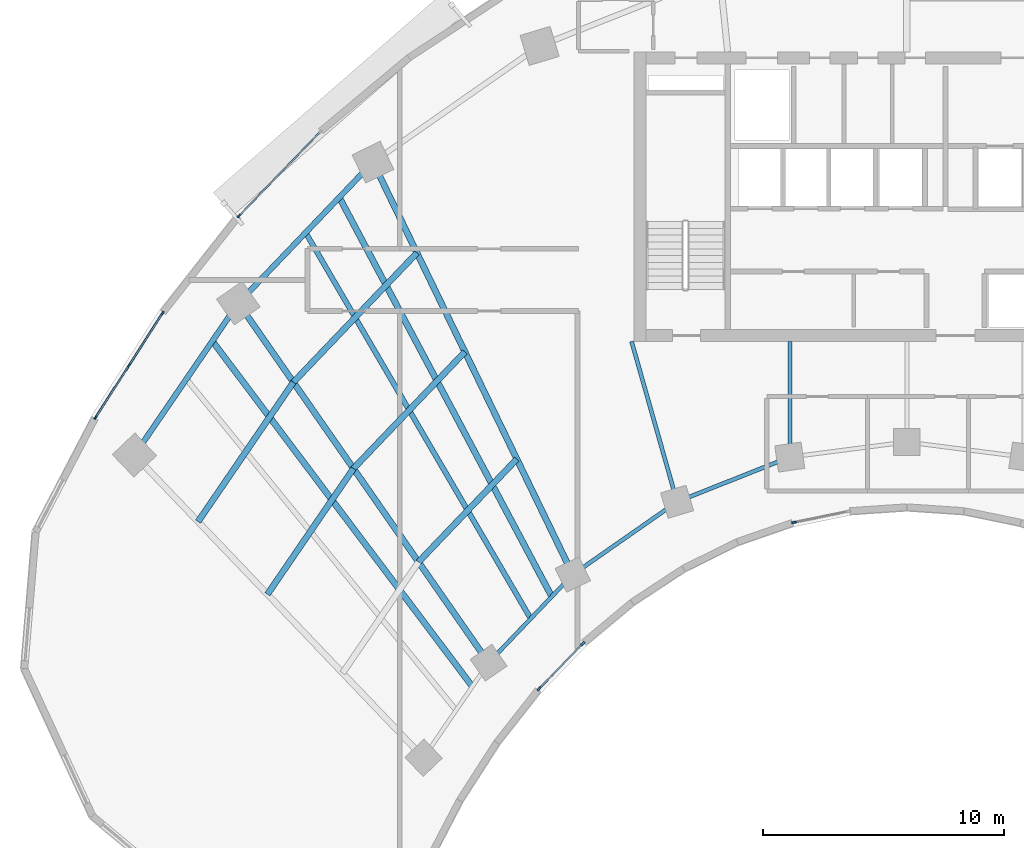
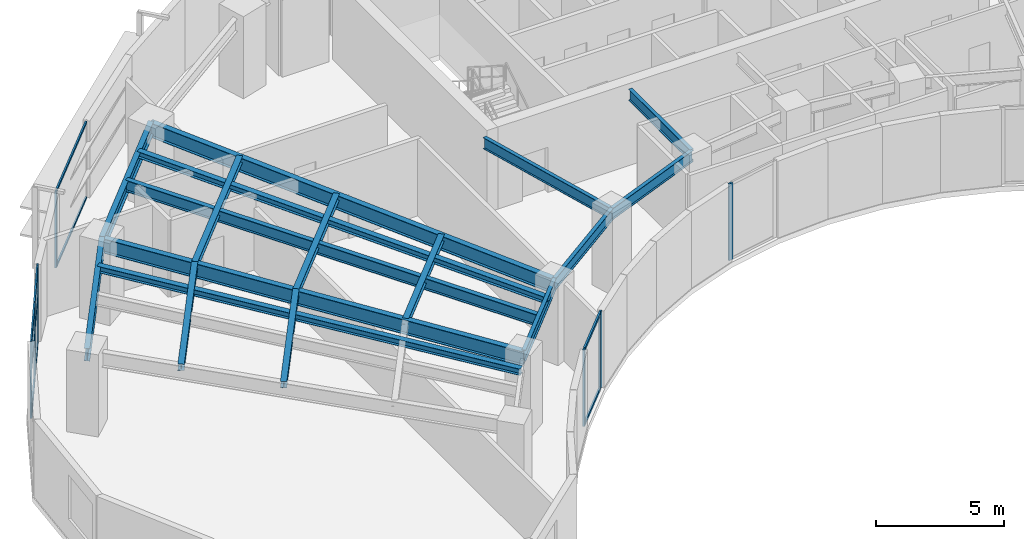
# One storey, part 2 of 14: 17 beams, 17 members, 4 elements without a shape of their own.
"""IFC4 building model written with IfcOpenShell, lengths in metres."""

from ifc_helpers import new_model, si_unit, direction, frame, origin, origin_2d, place, context, subcontext, project, spatial, rectangle, i_section, extrude, source, transform, mapped, material, layer, layer_set, material_profile, profile_set, type_object, type_shapes, element, aggregate, save


model = new_model("IFC4")

# Units and contexts
model_context = context("Model", 3, precision=1e-05, world=origin(), true_north=direction((0.0, 1.0)))
body_context = subcontext(model_context, "Body", "Model", "MODEL_VIEW")
ifc_project = project(units=[si_unit("LENGTHUNIT", "METRE"), si_unit("AREAUNIT", "SQUARE_METRE"), si_unit("VOLUMEUNIT", "CUBIC_METRE"), si_unit("PLANEANGLEUNIT", "RADIAN"), si_unit("MASSUNIT", "GRAM", prefix="KILO")], contexts=[model_context])

# Site, building, storey
site_placement = place(None, origin())
site = spatial("IfcSite", under=ifc_project, at=site_placement, CompositionType="ELEMENT")
building_placement = place(site_placement, origin())
building = spatial("IfcBuilding", under=site, at=building_placement, Name="Breltana Convention Tower", CompositionType="ELEMENT")
storey_placement = place(building_placement, frame((0.0, 0.0, 115.5)))
storey = spatial("IfcBuildingStorey", under=building, at=storey_placement, Name="L27", CompositionType="ELEMENT", Elevation=115.5)

# Beams
ifc_material_1 = material(Name="Steel ASTM A992 Grade 50", Category="steel")
ifc_material_profile_1 = material_profile(ifc_material_1, i_section(OverallWidth=0.25390625, OverallDepth=0.68798828125, WebThickness=0.01318359375, FlangeThickness=0.02099609375, at=origin_2d()), Name="W27X102")
ifc_profile_set_1 = profile_set([ifc_material_profile_1], Name="Steel ASTM A992 Grade 50")
beam_type_1 = type_object("IfcBeamType", Name="BM-RG-W27X102", PredefinedType="USERDEFINED", material=ifc_profile_set_1)
shared_shape_1 = source(origin(), body_context, "Body", "SweptSolid", [
    extrude(i_section(OverallWidth=0.25390625, OverallDepth=0.68798828125, WebThickness=0.01318359375, FlangeThickness=0.02099609375, at=origin_2d()), origin(), (0.0, 0.0, 1.0), 18.1484375),
])
beam_1_placement = place(storey_placement, frame((30.67724609375, 46.892333984375, 3.305908203125), z_axis=(-0.571207556098, 0.820805657788, 0.0), x_axis=(-0.820805657788, -0.571207556098, 0.0)))
element("IfcBeam", 1, at=beam_1_placement, inside=storey, type_object=beam_type_1, Name="L27 Radial Floor Girder R02", ObjectType="GIRDER", PredefinedType="USERDEFINED", context=body_context, shape_type="MappedRepresentation", body=[
    mapped(shared_shape_1, transform((0.0, 0.0, 0.0), scale=1.0)),
])
shared_shape_2 = source(origin(), body_context, "Body", "SweptSolid", [
    extrude(i_section(OverallWidth=0.25390625, OverallDepth=0.68798828125, WebThickness=0.01318359375, FlangeThickness=0.02099609375, at=origin_2d()), origin(), (0.0, 0.0, 1.0), 18.982421875),
])
beam_2_placement = place(storey_placement, frame((34.166259765625, 50.544921875, 3.305908203125), z_axis=(-0.436118560343, 0.89988921614, 0.0), x_axis=(-0.89988921614, -0.436118560343, 0.0)))
element("IfcBeam", 2, at=beam_2_placement, inside=storey, type_object=beam_type_1, Name="L27 Radial Floor Girder R03", ObjectType="GIRDER", PredefinedType="USERDEFINED", context=body_context, shape_type="MappedRepresentation", body=[
    mapped(shared_shape_2, transform((0.0, 0.0, 0.0), scale=1.0)),
])
ifc_material_profile_2 = material_profile(ifc_material_1, i_section(OverallWidth=0.166015625, OverallDepth=0.534912109375, WebThickness=0.01025390625, FlangeThickness=0.0166015625, at=origin_2d()), Name="W21X57")
ifc_profile_set_2 = profile_set([ifc_material_profile_2], Name="Steel ASTM A992 Grade 50")
beam_type_2 = type_object("IfcBeamType", Name="BM-BM-W21X57", PredefinedType="BEAM", material=ifc_profile_set_2)
shared_shape_3 = source(origin(), body_context, "Body", "SweptSolid", [
    extrude(i_section(OverallWidth=0.166015625, OverallDepth=0.534912109375, WebThickness=0.01025390625, FlangeThickness=0.0166015625, at=origin_2d()), origin(), (0.0, 0.0, 1.0), 6.904541015625),
])
type_shapes(beam_type_2, [shared_shape_3])
beam_3_placement = place(storey_placement, frame((36.60009765625, 60.199951171875, 3.382568359375), z_axis=(0.273006781054, -0.962012108811, 0.0), x_axis=(0.962012108811, 0.273006781054, 0.0)))
element("IfcBeam", 3, at=beam_3_placement, inside=storey, type_object=beam_type_2, Name="L27 South Core Tie Girder R04", PredefinedType="BEAM", context=body_context, shape_type="MappedRepresentation", body=[
    mapped(shared_shape_3, transform((0.0, 0.0, 0.0), scale=1.0)),
])
shared_shape_4 = source(origin(), body_context, "Body", "SweptSolid", [
    extrude(i_section(OverallWidth=0.166015625, OverallDepth=0.534912109375, WebThickness=0.01025390625, FlangeThickness=0.0166015625, at=origin_2d()), origin(), (0.0, 0.0, 1.0), 4.789306640625),
])
beam_4_placement = place(storey_placement, frame((43.153564453125, 60.199951171875, 3.382568359375), z_axis=(0.0, -1.0, 0.0), x_axis=(1.0, 0.0, 0.0)))
element("IfcBeam", 4, at=beam_4_placement, inside=storey, type_object=beam_type_2, Name="L27 South Core Tie Girder R05", PredefinedType="BEAM", context=body_context, shape_type="MappedRepresentation", body=[
    mapped(shared_shape_4, transform((0.0, 0.0, 0.0), scale=1.0)),
])
ifc_material_profile_3 = material_profile(ifc_material_1, i_section(OverallWidth=0.22802734375, OverallDepth=0.60791015625, WebThickness=0.01123046875, FlangeThickness=0.017333984375, at=origin_2d()), Name="W24X76")
ifc_profile_set_3 = profile_set([ifc_material_profile_3], Name="Steel ASTM A992 Grade 50")
beam_type_3 = type_object("IfcBeamType", Name="BM-SP-W24X76", PredefinedType="SPANDREL", material=ifc_profile_set_3)
shared_shape_5 = source(origin(), body_context, "Body", "SweptSolid", [
    extrude(i_section(OverallWidth=0.22802734375, OverallDepth=0.60791015625, WebThickness=0.01123046875, FlangeThickness=0.017333984375, at=origin_2d()), origin(), (0.0, 0.0, 1.0), 7.625),
])
type_shapes(beam_type_3, [shared_shape_5])
beam_5_placement = place(storey_placement, frame((16.0068359375, 55.494384765625, 3.345947265625), z_axis=(0.564452031902, 0.825465870694, 0.0), x_axis=(-0.825465870694, 0.564452031902, 0.0)))
element("IfcBeam", 5, at=beam_5_placement, inside=storey, type_object=beam_type_3, Name="L27 Outer Spandrel Beam 01", PredefinedType="SPANDREL", context=body_context, shape_type="MappedRepresentation", body=[
    mapped(shared_shape_5, transform((0.0, 0.0, 0.0), scale=1.0)),
])
shared_shape_6 = source(origin(), body_context, "Body", "SweptSolid", [
    extrude(i_section(OverallWidth=0.166015625, OverallDepth=0.534912109375, WebThickness=0.01025390625, FlangeThickness=0.0166015625, at=origin_2d()), origin(), (0.0, 0.0, 1.0), 5.05126953125),
])
beam_6_placement = place(storey_placement, frame((30.67724609375, 46.892333984375, 3.382568359375), z_axis=(0.690729753845, 0.7231129975, 0.0), x_axis=(-0.7231129975, 0.690729753845, 0.0)))
element("IfcBeam", 6, at=beam_6_placement, inside=storey, type_object=beam_type_2, Name="L27 Inner Ring Beam 02", PredefinedType="BEAM", context=body_context, shape_type="MappedRepresentation", body=[
    mapped(shared_shape_6, transform((0.0, 0.0, 0.0), scale=1.0)),
])
shared_shape_7 = source(origin(), body_context, "Body", "SweptSolid", [
    extrude(i_section(OverallWidth=0.22802734375, OverallDepth=0.60791015625, WebThickness=0.01123046875, FlangeThickness=0.017333984375, at=origin_2d()), origin(), (0.0, 0.0, 1.0), 8.073974609375),
])
beam_7_placement = place(storey_placement, frame((20.310791015625, 61.78857421875, 3.345947265625), z_axis=(0.69072885448, 0.723113856588, 0.0), x_axis=(-0.723113856588, 0.69072885448, 0.0)))
element("IfcBeam", 7, at=beam_7_placement, inside=storey, type_object=beam_type_3, Name="L27 Outer Spandrel Beam 02", PredefinedType="SPANDREL", context=body_context, shape_type="MappedRepresentation", body=[
    mapped(shared_shape_7, transform((0.0, 0.0, 0.0), scale=1.0)),
])
shared_shape_8 = source(origin(), body_context, "Body", "SweptSolid", [
    extrude(i_section(OverallWidth=0.166015625, OverallDepth=0.534912109375, WebThickness=0.01025390625, FlangeThickness=0.0166015625, at=origin_2d()), origin(), (0.0, 0.0, 1.0), 5.265869140625),
])
beam_8_placement = place(storey_placement, frame((34.166259765625, 50.544921875, 3.382568359375), z_axis=(0.820167429517, 0.572123577176, 0.0), x_axis=(-0.572123577176, 0.820167429517, 0.0)))
element("IfcBeam", 8, at=beam_8_placement, inside=storey, type_object=beam_type_2, Name="L27 Inner Ring Beam 03", PredefinedType="BEAM", context=body_context, shape_type="MappedRepresentation", body=[
    mapped(shared_shape_8, transform((0.0, 0.0, 0.0), scale=1.0)),
])
shared_shape_9 = source(origin(), body_context, "Body", "SweptSolid", [
    extrude(i_section(OverallWidth=0.166015625, OverallDepth=0.534912109375, WebThickness=0.01025390625, FlangeThickness=0.0166015625, at=origin_2d()), origin(), (0.0, 0.0, 1.0), 5.022705078125),
])
beam_9_placement = place(storey_placement, frame((38.485107421875, 53.5576171875, 3.382568359375), z_axis=(0.929458966248, 0.368925507469, 0.0), x_axis=(-0.368925507469, 0.929458966248, 0.0)))
element("IfcBeam", 9, at=beam_9_placement, inside=storey, type_object=beam_type_2, Name="L27 Inner Ring Beam 04", PredefinedType="BEAM", context=body_context, shape_type="MappedRepresentation", body=[
    mapped(shared_shape_9, transform((0.0, 0.0, 0.0), scale=1.0)),
])
ifc_material_profile_4 = material_profile(ifc_material_1, i_section(OverallWidth=0.25390625, OverallDepth=0.305908203125, WebThickness=0.0087890625, FlangeThickness=0.0146484375, at=origin_2d()), Name="W12X53")
ifc_profile_set_4 = profile_set([ifc_material_profile_4], Name="Steel ASTM A992 Grade 50")
beam_type_4 = type_object("IfcBeamType", Name="BM-JSG-10", PredefinedType="JOIST", material=ifc_profile_set_4)
shared_shape_10 = source(origin(), body_context, "Body", "SweptSolid", [
    extrude(i_section(OverallWidth=0.25390625, OverallDepth=0.305908203125, WebThickness=0.0087890625, FlangeThickness=0.0146484375, at=origin_2d()), origin(), (0.0, 0.0, 1.0), 6.311767578125),
])
beam_10_placement = place(storey_placement, frame((21.5166015625, 49.72607421875, 3.4970703125), z_axis=(0.564453712577, 0.825464721449, 0.0), x_axis=(-0.825464721449, 0.564453712577, 0.0)))
element("IfcBeam", 10, at=beam_10_placement, inside=storey, type_object=beam_type_4, Name="L27 Composite Floor Joist 01.2", PredefinedType="JOIST", context=body_context, shape_type="MappedRepresentation", body=[
    mapped(shared_shape_10, transform((0.0, 0.0, 0.0), scale=1.0)),
])
shared_shape_11 = source(origin(), body_context, "Body", "SweptSolid", [
    extrude(i_section(OverallWidth=0.25390625, OverallDepth=0.305908203125, WebThickness=0.0087890625, FlangeThickness=0.0146484375, at=origin_2d()), origin(), (0.0, 0.0, 1.0), 6.997314453125),
])
beam_11_placement = place(storey_placement, frame((18.641845703125, 52.735595703125, 3.4970703125), z_axis=(0.564468756361, 0.825454434292, 0.0), x_axis=(-0.825454434292, 0.564468756361, 0.0)))
element("IfcBeam", 11, at=beam_11_placement, inside=storey, type_object=beam_type_4, Name="L27 Composite Floor Joist 01.3", PredefinedType="JOIST", context=body_context, shape_type="MappedRepresentation", body=[
    mapped(shared_shape_11, transform((0.0, 0.0, 0.0), scale=1.0)),
])
shared_shape_12 = source(origin(), body_context, "Body", "SweptSolid", [
    extrude(i_section(OverallWidth=0.25390625, OverallDepth=0.305908203125, WebThickness=0.0087890625, FlangeThickness=0.0146484375, at=origin_2d()), origin(), (0.0, 0.0, 1.0), 17.9072265625),
])
beam_12_placement = place(storey_placement, frame((30.00390625, 45.907958984375, 3.4970703125), z_axis=(-0.601382105028, 0.798961553363, 0.0), x_axis=(-0.798961553363, -0.601382105028, 0.0)))
element("IfcBeam", 12, at=beam_12_placement, inside=storey, type_object=beam_type_4, Name="L27 Quarter-Bay Radial Trimmer 01", PredefinedType="JOIST", context=body_context, shape_type="MappedRepresentation", body=[
    mapped(shared_shape_12, transform((0.0, 0.0, 0.0), scale=1.0)),
])
shared_shape_13 = source(origin(), body_context, "Body", "SweptSolid", [
    extrude(i_section(OverallWidth=0.25390625, OverallDepth=0.305908203125, WebThickness=0.0087890625, FlangeThickness=0.0146484375, at=origin_2d()), origin(), (0.0, 0.0, 1.0), 5.8974609375),
])
beam_13_placement = place(storey_placement, frame((27.774658203125, 51.063232421875, 3.4970703125), z_axis=(0.690713978666, 0.723128065888, 0.0), x_axis=(-0.723128065888, 0.690713978666, 0.0)))
element("IfcBeam", 13, at=beam_13_placement, inside=storey, type_object=beam_type_4, Name="L27 Composite Floor Joist 02.1", PredefinedType="JOIST", context=body_context, shape_type="MappedRepresentation", body=[
    mapped(shared_shape_13, transform((0.0, 0.0, 0.0), scale=1.0)),
])
shared_shape_14 = source(origin(), body_context, "Body", "SweptSolid", [
    extrude(i_section(OverallWidth=0.25390625, OverallDepth=0.305908203125, WebThickness=0.0087890625, FlangeThickness=0.0146484375, at=origin_2d()), origin(), (0.0, 0.0, 1.0), 6.68359375),
])
beam_14_placement = place(storey_placement, frame((25.079345703125, 54.936279296875, 3.4970703125), z_axis=(0.690720705885, 0.723121640156, 0.0), x_axis=(-0.723121640156, 0.690720705885, 0.0)))
element("IfcBeam", 14, at=beam_14_placement, inside=storey, type_object=beam_type_4, Name="L27 Composite Floor Joist 02.2", PredefinedType="JOIST", context=body_context, shape_type="MappedRepresentation", body=[
    mapped(shared_shape_14, transform((0.0, 0.0, 0.0), scale=1.0)),
])
shared_shape_15 = source(origin(), body_context, "Body", "SweptSolid", [
    extrude(i_section(OverallWidth=0.25390625, OverallDepth=0.305908203125, WebThickness=0.0087890625, FlangeThickness=0.0146484375, at=origin_2d()), origin(), (0.0, 0.0, 1.0), 7.40869140625),
])
beam_15_placement = place(storey_placement, frame((22.591552734375, 58.511474609375, 3.4970703125), z_axis=(0.690724936208, 0.723117599358, 0.0), x_axis=(-0.723117599358, 0.690724936208, 0.0)))
element("IfcBeam", 15, at=beam_15_placement, inside=storey, type_object=beam_type_4, Name="L27 Composite Floor Joist 02.3", PredefinedType="JOIST", context=body_context, shape_type="MappedRepresentation", body=[
    mapped(shared_shape_15, transform((0.0, 0.0, 0.0), scale=1.0)),
])
ifc_material_profile_5 = material_profile(ifc_material_1, i_section(OverallWidth=0.214111328125, OverallDepth=0.549072265625, WebThickness=0.0146484375, FlangeThickness=0.023681640625, at=origin_2d()), Name="W21X93")
ifc_profile_set_5 = profile_set([ifc_material_profile_5], Name="Steel ASTM A992 Grade 50")
beam_type_5 = type_object("IfcBeamType", Name="BM-JSG-03", PredefinedType="JOIST", material=ifc_profile_set_5)
shared_shape_16 = source(origin(), body_context, "Body", "SweptSolid", [
    extrude(i_section(OverallWidth=0.214111328125, OverallDepth=0.549072265625, WebThickness=0.0146484375, FlangeThickness=0.023681640625, at=origin_2d()), origin(), (0.0, 0.0, 1.0), 18.50830078125),
])
beam_16_placement = place(storey_placement, frame((32.421630859375, 48.71875, 3.37548828125), z_axis=(-0.50368319637, 0.863888440537, 0.0), x_axis=(-0.863888440537, -0.50368319637, 0.0)))
element("IfcBeam", 16, at=beam_16_placement, inside=storey, type_object=beam_type_5, Name="L27 Mid-Bay Radial Trimmer 02", PredefinedType="JOIST", context=body_context, shape_type="MappedRepresentation", body=[
    mapped(shared_shape_16, transform((0.0, 0.0, 0.0), scale=1.0)),
])
shared_shape_17 = source(origin(), body_context, "Body", "SweptSolid", [
    extrude(i_section(OverallWidth=0.25390625, OverallDepth=0.305908203125, WebThickness=0.0087890625, FlangeThickness=0.0146484375, at=origin_2d()), origin(), (0.0, 0.0, 1.0), 18.731689453125),
])
beam_17_placement = place(storey_placement, frame((33.2939453125, 49.6318359375, 3.4970703125), z_axis=(-0.469820250451, 0.882762104004, 0.0), x_axis=(-0.882762104004, -0.469820250451, 0.0)))
element("IfcBeam", 17, at=beam_17_placement, inside=storey, type_object=beam_type_4, Name="L27 Quarter-Bay Radial Trimmer 02", PredefinedType="JOIST", context=body_context, shape_type="MappedRepresentation", body=[
    mapped(shared_shape_17, transform((0.0, 0.0, 0.0), scale=1.0)),
])

# Curtain wall, members
ifc_material_2 = material(Name="Aluminium Anodised Bronze Frame", Category="aluminium")
ifc_layer_1 = layer(ifc_material_2, 0.18994140625, Name="Aluminium Anodised Bronze Frame")
ifc_layer_set_1 = layer_set([ifc_layer_1], Name="Aluminium Anodised Bronze Frame")
curtain_wall_type_1 = type_object("IfcCurtainWallType", Name="CW-SYS-1", PredefinedType="NOTDEFINED", material=ifc_layer_set_1)
curtain_wall_1_placement = place(storey_placement, origin())
curtain_wall_1 = element("IfcCurtainWall", 18, at=curtain_wall_1_placement, inside=storey, type_object=curtain_wall_type_1, Name="L27 inner south-court glazing 5", PredefinedType="NOTDEFINED")
ifc_material_3 = material(Name="Aluminium Anodised Bronze", Category="aluminium")
ifc_material_profile_6 = material_profile(ifc_material_3, rectangle(XDim=0.080078125, YDim=0.139892578125, at=origin_2d()), Name="CWT-80X140")
ifc_profile_set_6 = profile_set([ifc_material_profile_6], Name="Aluminium Anodised Bronze")
member_type_1 = type_object("IfcMemberType", Name="CWT-140", PredefinedType="USERDEFINED", material=ifc_profile_set_6)
shared_shape_18 = source(origin(), body_context, "Body", "SweptSolid", [
    extrude(rectangle(XDim=0.080078125, YDim=0.139892578125, at=origin_2d()), origin(), (0.0, 0.0, 1.0), 2.519775390625),
])
member_1_placement = place(storey_placement, frame((34.5458984375, 47.650390625, 0.0400390625), z_axis=(-0.694596242791, -0.719399791146, 0.0), x_axis=(0.719399791146, -0.694596242791, 0.0)))
member_1 = element("IfcMember", 19, at=member_1_placement, type_object=member_type_1, Name="CW-01 transom 1.1", ObjectType="TRANSOM", PredefinedType="USERDEFINED", context=body_context, shape_type="MappedRepresentation", body=[
    mapped(shared_shape_18, transform((0.0, 0.0, 0.0), scale=1.0)),
])
member_2_placement = place(storey_placement, frame((34.5458984375, 47.650390625, 3.610107421875), z_axis=(-0.694596242791, -0.719399791146, 0.0), x_axis=(0.719399791146, -0.694596242791, 0.0)))
member_2 = element("IfcMember", 20, at=member_2_placement, type_object=member_type_1, Name="CW-01 transom 1.2", ObjectType="TRANSOM", PredefinedType="USERDEFINED", context=body_context, shape_type="MappedRepresentation", body=[
    mapped(shared_shape_18, transform((0.0, 0.0, 0.0), scale=1.0)),
])

# Curtain wall, member
curtain_wall_2_placement = place(storey_placement, origin())
curtain_wall_2 = element("IfcCurtainWall", 21, at=curtain_wall_2_placement, inside=storey, type_object=curtain_wall_type_1, Name="L27 inner south-court glazing 4", PredefinedType="NOTDEFINED")
ifc_material_profile_7 = material_profile(ifc_material_3, rectangle(XDim=0.080078125, YDim=0.199951171875, at=origin_2d()), Name="CWM-80X200")
ifc_profile_set_7 = profile_set([ifc_material_profile_7], Name="Aluminium Anodised Bronze")
member_type_2 = type_object("IfcMemberType", Name="CWM-200", PredefinedType="MULLION", material=ifc_profile_set_7)
shared_shape_19 = source(origin(), body_context, "Body", "SweptSolid", [
    extrude(rectangle(XDim=0.080078125, YDim=0.199951171875, at=origin_2d()), origin(), (0.0, 0.0, 1.0), 3.64990234375),
])
member_3_placement = place(storey_placement, frame((43.327880859375, 52.703125, 0.0), z_axis=(0.0, 0.0, 1.0), x_axis=(0.200852929183, -0.979621406891, 0.0)))
member_3 = element("IfcMember", 22, at=member_3_placement, type_object=member_type_2, Name="CW-01 mullion 2", PredefinedType="MULLION", context=body_context, shape_type="MappedRepresentation", body=[
    mapped(shared_shape_19, transform((0.0, 0.0, 0.0), scale=1.0)),
])
aggregate(curtain_wall_2, [member_3])

# Member
member_4_placement = place(storey_placement, frame((34.57373046875, 47.67919921875, 0.0), z_axis=(0.0, 0.0, 1.0), x_axis=(0.719387314642, -0.694609164589, 0.0)))
member_4 = element("IfcMember", 23, at=member_4_placement, type_object=member_type_2, Name="CW-01 mullion 1", PredefinedType="MULLION", context=body_context, shape_type="MappedRepresentation", body=[
    mapped(shared_shape_19, transform((0.0, 0.0, 0.0), scale=1.0)),
])

member_5_placement = place(storey_placement, frame((32.767822265625, 45.808837890625, 0.0), z_axis=(0.0, 0.0, 1.0), x_axis=(0.719387314642, -0.694609164589, 0.0)))
member_5 = element("IfcMember", 24, at=member_5_placement, type_object=member_type_2, Name="CW-01 mullion 2", PredefinedType="MULLION", context=body_context, shape_type="MappedRepresentation", body=[
    mapped(shared_shape_19, transform((0.0, 0.0, 0.0), scale=1.0)),
])

aggregate(curtain_wall_1, [member_4, member_5, member_1, member_2])

# Curtain wall, members
ifc_layer_2 = layer(ifc_material_2, 0.22998046875, Name="Aluminium Anodised Bronze Frame")
ifc_layer_set_2 = layer_set([ifc_layer_2], Name="Aluminium Anodised Bronze Frame")
curtain_wall_type_2 = type_object("IfcCurtainWallType", Name="CW-SYS-5", PredefinedType="NOTDEFINED", material=ifc_layer_set_2)
curtain_wall_3_placement = place(storey_placement, origin())
curtain_wall_3 = element("IfcCurtainWall", 25, at=curtain_wall_3_placement, inside=storey, type_object=curtain_wall_type_2, Name="L27 outer double-skin inner glazing 1", PredefinedType="NOTDEFINED")
ifc_material_profile_8 = material_profile(ifc_material_3, rectangle(XDim=0.070068359375, YDim=0.175048828125, at=origin_2d()), Name="CWM-70X175")
ifc_profile_set_8 = profile_set([ifc_material_profile_8], Name="Aluminium Anodised Bronze")
member_type_3 = type_object("IfcMemberType", Name="CWM-175", PredefinedType="MULLION", material=ifc_profile_set_8)
shared_shape_20 = source(origin(), body_context, "Body", "SweptSolid", [
    extrude(rectangle(XDim=0.070068359375, YDim=0.175048828125, at=origin_2d()), origin(), (0.0, 0.0, 1.0), 3.64990234375),
])
member_6_placement = place(storey_placement, frame((14.395751953125, 57.049560546875, 0.0), z_axis=(0.0, 0.0, 1.0), x_axis=(-0.84155155167, 0.540176809834, 0.0)))
member_6 = element("IfcMember", 26, at=member_6_placement, type_object=member_type_3, Name="CW-05 mullion 1", PredefinedType="MULLION", context=body_context, shape_type="MappedRepresentation", body=[
    mapped(shared_shape_20, transform((0.0, 0.0, 0.0), scale=1.0)),
])
member_7_placement = place(storey_placement, frame((15.78271484375, 59.210205078125, 0.0), z_axis=(0.0, 0.0, 1.0), x_axis=(-0.84155155167, 0.540176809834, 0.0)))
member_7 = element("IfcMember", 27, at=member_7_placement, type_object=member_type_3, Name="CW-05 mullion 2", PredefinedType="MULLION", context=body_context, shape_type="MappedRepresentation", body=[
    mapped(shared_shape_20, transform((0.0, 0.0, 0.0), scale=1.0)),
])
member_8_placement = place(storey_placement, frame((17.169677734375, 61.370849609375, 0.0), z_axis=(0.0, 0.0, 1.0), x_axis=(-0.84155155167, 0.540176809834, 0.0)))
member_8 = element("IfcMember", 28, at=member_8_placement, type_object=member_type_3, Name="CW-05 mullion 3", PredefinedType="MULLION", context=body_context, shape_type="MappedRepresentation", body=[
    mapped(shared_shape_20, transform((0.0, 0.0, 0.0), scale=1.0)),
])

# Curtain wall, member
curtain_wall_4_placement = place(storey_placement, origin())
curtain_wall_4 = element("IfcCurtainWall", 29, at=curtain_wall_4_placement, inside=storey, type_object=curtain_wall_type_2, Name="L27 outer double-skin inner glazing 2", PredefinedType="NOTDEFINED")
member_9_placement = place(storey_placement, frame((20.339599609375, 65.401611328125, 0.0), z_axis=(0.0, 0.0, 1.0), x_axis=(-0.719384961558, 0.694611601605, 0.0)))
member_9 = element("IfcMember", 30, at=member_9_placement, type_object=member_type_3, Name="CW-05 mullion 1", PredefinedType="MULLION", context=body_context, shape_type="MappedRepresentation", body=[
    mapped(shared_shape_20, transform((0.0, 0.0, 0.0), scale=1.0)),
])

# Member
ifc_material_profile_9 = material_profile(ifc_material_3, rectangle(XDim=0.070068359375, YDim=0.1201171875, at=origin_2d()), Name="CWT-70X120")
ifc_profile_set_9 = profile_set([ifc_material_profile_9], Name="Aluminium Anodised Bronze")
member_type_4 = type_object("IfcMemberType", Name="CWT-120", PredefinedType="USERDEFINED", material=ifc_profile_set_9)
shared_shape_21 = source(origin(), body_context, "Body", "SweptSolid", [
    extrude(rectangle(XDim=0.070068359375, YDim=0.1201171875, at=origin_2d()), origin(), (0.0, 0.0, 1.0), 2.49755859375),
])
member_10_placement = place(storey_placement, frame((14.41455078125, 57.078857421875, 0.034912109375), z_axis=(0.540179419124, 0.841549876808, 0.0), x_axis=(-0.841549876808, 0.540179419124, 0.0)))
member_10 = element("IfcMember", 31, at=member_10_placement, type_object=member_type_4, Name="CW-05 transom 1.1", ObjectType="TRANSOM", PredefinedType="USERDEFINED", context=body_context, shape_type="MappedRepresentation", body=[
    mapped(shared_shape_21, transform((0.0, 0.0, 0.0), scale=1.0)),
])

member_11_placement = place(storey_placement, frame((14.41455078125, 57.078857421875, 2.37255859375), z_axis=(0.540179419124, 0.841549876808, 0.0), x_axis=(-0.841549876808, 0.540179419124, 0.0)))
member_11 = element("IfcMember", 32, at=member_11_placement, type_object=member_type_4, Name="CW-05 transom 1.2", ObjectType="TRANSOM", PredefinedType="USERDEFINED", context=body_context, shape_type="MappedRepresentation", body=[
    mapped(shared_shape_21, transform((0.0, 0.0, 0.0), scale=1.0)),
])

member_12_placement = place(storey_placement, frame((14.41455078125, 57.078857421875, 3.614990234375), z_axis=(0.540179419124, 0.841549876808, 0.0), x_axis=(-0.841549876808, 0.540179419124, 0.0)))
member_12 = element("IfcMember", 33, at=member_12_placement, type_object=member_type_4, Name="CW-05 transom 1.3", ObjectType="TRANSOM", PredefinedType="USERDEFINED", context=body_context, shape_type="MappedRepresentation", body=[
    mapped(shared_shape_21, transform((0.0, 0.0, 0.0), scale=1.0)),
])

member_13_placement = place(storey_placement, frame((15.801513671875, 59.23974609375, 0.034912109375), z_axis=(0.540179419124, 0.841549876808, 0.0), x_axis=(-0.841549876808, 0.540179419124, 0.0)))
member_13 = element("IfcMember", 34, at=member_13_placement, type_object=member_type_4, Name="CW-05 transom 2.1", ObjectType="TRANSOM", PredefinedType="USERDEFINED", context=body_context, shape_type="MappedRepresentation", body=[
    mapped(shared_shape_21, transform((0.0, 0.0, 0.0), scale=1.0)),
])

member_14_placement = place(storey_placement, frame((15.801513671875, 59.23974609375, 2.37255859375), z_axis=(0.540179419124, 0.841549876808, 0.0), x_axis=(-0.841549876808, 0.540179419124, 0.0)))
member_14 = element("IfcMember", 35, at=member_14_placement, type_object=member_type_4, Name="CW-05 transom 2.2", ObjectType="TRANSOM", PredefinedType="USERDEFINED", context=body_context, shape_type="MappedRepresentation", body=[
    mapped(shared_shape_21, transform((0.0, 0.0, 0.0), scale=1.0)),
])

member_15_placement = place(storey_placement, frame((15.801513671875, 59.23974609375, 3.614990234375), z_axis=(0.540179419124, 0.841549876808, 0.0), x_axis=(-0.841549876808, 0.540179419124, 0.0)))
member_15 = element("IfcMember", 36, at=member_15_placement, type_object=member_type_4, Name="CW-05 transom 2.3", ObjectType="TRANSOM", PredefinedType="USERDEFINED", context=body_context, shape_type="MappedRepresentation", body=[
    mapped(shared_shape_21, transform((0.0, 0.0, 0.0), scale=1.0)),
])

aggregate(curtain_wall_3, [member_6, member_7, member_8, member_10, member_11, member_12, member_13, member_14, member_15])

shared_shape_22 = source(origin(), body_context, "Body", "SweptSolid", [
    extrude(rectangle(XDim=0.070068359375, YDim=0.1201171875, at=origin_2d()), origin(), (0.0, 0.0, 1.0), 4.7685546875),
])
member_16_placement = place(storey_placement, frame((20.36376953125, 65.4267578125, 0.034912109375), z_axis=(0.694608218982, 0.719388227679, 0.0), x_axis=(-0.719388227679, 0.694608218982, 0.0)))
member_16 = element("IfcMember", 37, at=member_16_placement, type_object=member_type_4, Name="CW-05 transom 1.1", ObjectType="TRANSOM", PredefinedType="USERDEFINED", context=body_context, shape_type="MappedRepresentation", body=[
    mapped(shared_shape_22, transform((0.0, 0.0, 0.0), scale=1.0)),
])

member_17_placement = place(storey_placement, frame((20.36376953125, 65.4267578125, 3.614990234375), z_axis=(0.694608218982, 0.719388227679, 0.0), x_axis=(-0.719388227679, 0.694608218982, 0.0)))
member_17 = element("IfcMember", 38, at=member_17_placement, type_object=member_type_4, Name="CW-05 transom 1.2", ObjectType="TRANSOM", PredefinedType="USERDEFINED", context=body_context, shape_type="MappedRepresentation", body=[
    mapped(shared_shape_22, transform((0.0, 0.0, 0.0), scale=1.0)),
])

aggregate(curtain_wall_4, [member_9, member_16, member_17])

save(model, "model.ifc")
